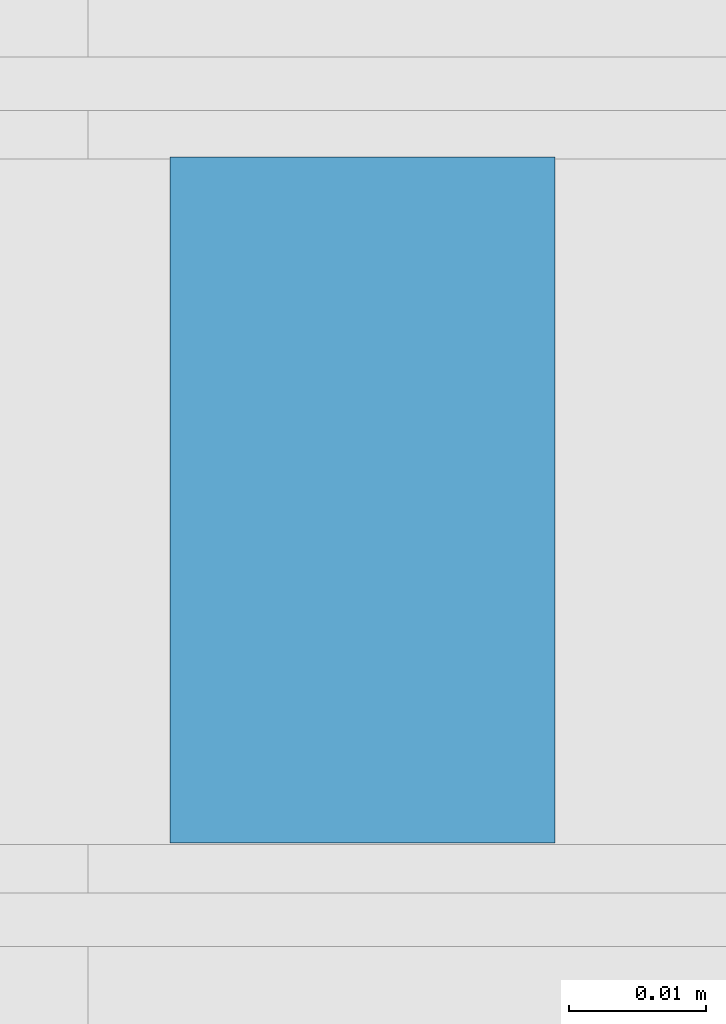
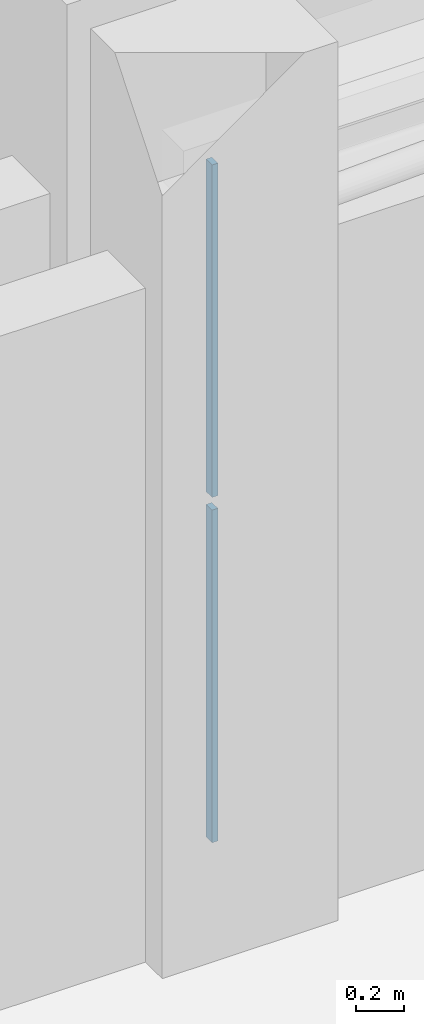
# One storey, part 97 of 137: 2 plates, 1 element without a shape of its own.
"""IFC4 building model written with IfcOpenShell, lengths in metres."""

from ifc_helpers import new_model, si_unit, direction, frame, origin, origin_2d, place, context, subcontext, project, spatial, rectangle, extrude, material, layer, layer_set, type_object, element, aggregate, save


model = new_model("IFC4")

# Units and contexts
model_context = context("Model", 3, precision=1e-05, world=origin(), true_north=direction((0.0, 1.0)))
body_context = subcontext(model_context, "Body", "Model", "MODEL_VIEW")
ifc_project = project(units=[si_unit("LENGTHUNIT", "METRE"), si_unit("AREAUNIT", "SQUARE_METRE"), si_unit("VOLUMEUNIT", "CUBIC_METRE"), si_unit("PLANEANGLEUNIT", "RADIAN"), si_unit("MASSUNIT", "GRAM", prefix="KILO")], contexts=[model_context])

# Site, building, storey
site_placement = place(None, origin())
site = spatial("IfcSite", under=ifc_project, at=site_placement, CompositionType="ELEMENT")
building_placement = place(site_placement, origin())
building = spatial("IfcBuilding", under=site, at=building_placement, Name="Xazarin Passage Department Store", CompositionType="ELEMENT")
storey_placement = place(building_placement, frame((0.0, 0.0, 5.39990234375)))
storey = spatial("IfcBuildingStorey", under=building, at=storey_placement, Name="L01", CompositionType="ELEMENT", Elevation=5.39990234375)

# Curtain wall, plates
ifc_material_1 = material(Name="Bronze anodised aluminium", Category="aluminium")
ifc_layer_1 = layer(ifc_material_1, 0.14990234375)
ifc_layer_set_1 = layer_set([ifc_layer_1], Name="Bronze anodised aluminium")
curtain_wall_type = type_object("IfcCurtainWallType", Name="ARC-CW-BRG1", PredefinedType="NOTDEFINED", material=ifc_layer_set_1)
curtain_wall_placement = place(storey_placement, origin())
curtain_wall = element("IfcCurtainWall", 1, at=curtain_wall_placement, inside=storey, type_object=curtain_wall_type, Name="L01 BR-V2S-V2N Bridge Curtain Wall 1", PredefinedType="NOTDEFINED")
ifc_material_2 = material(Name="Low-E laminated safety glass", Category="glass")
ifc_layer_2 = layer(ifc_material_2, 0.028076171875)
ifc_layer_set_2 = layer_set([ifc_layer_2], Name="Low-E laminated safety glass")
plate_type = type_object("IfcPlateType", Name="ARC-CWP-GLZ28", PredefinedType="CURTAIN_PANEL", material=ifc_layer_set_2)
plate_1_placement = place(storey_placement, frame((76.6201171875, 50.800048828125, 0.06494140625), z_axis=(0.0, 0.0, 1.0), x_axis=(0.0, 1.0, 0.0)))
plate_1 = element("IfcPlate", 2, at=plate_1_placement, type_object=plate_type, Name="CW7 panel 1.1", PredefinedType="CURTAIN_PANEL", context=body_context, shape_type="SweptSolid", body=[
    extrude(rectangle(XDim=0.050048828125, YDim=0.028076171875, at=origin_2d()), origin(), (0.0, 0.0, 1.0), 1.702392578125),
])
plate_2_placement = place(storey_placement, frame((76.6201171875, 50.800048828125, 1.83251953125), z_axis=(0.0, 0.0, 1.0), x_axis=(0.0, 1.0, 0.0)))
plate_2 = element("IfcPlate", 3, at=plate_2_placement, type_object=plate_type, Name="CW7 panel 1.2", PredefinedType="CURTAIN_PANEL", context=body_context, shape_type="SweptSolid", body=[
    extrude(rectangle(XDim=0.050048828125, YDim=0.028076171875, at=origin_2d()), origin(), (0.0, 0.0, 1.0), 1.702392578125),
])
aggregate(curtain_wall, [plate_1, plate_2])

save(model, "model.ifc")
